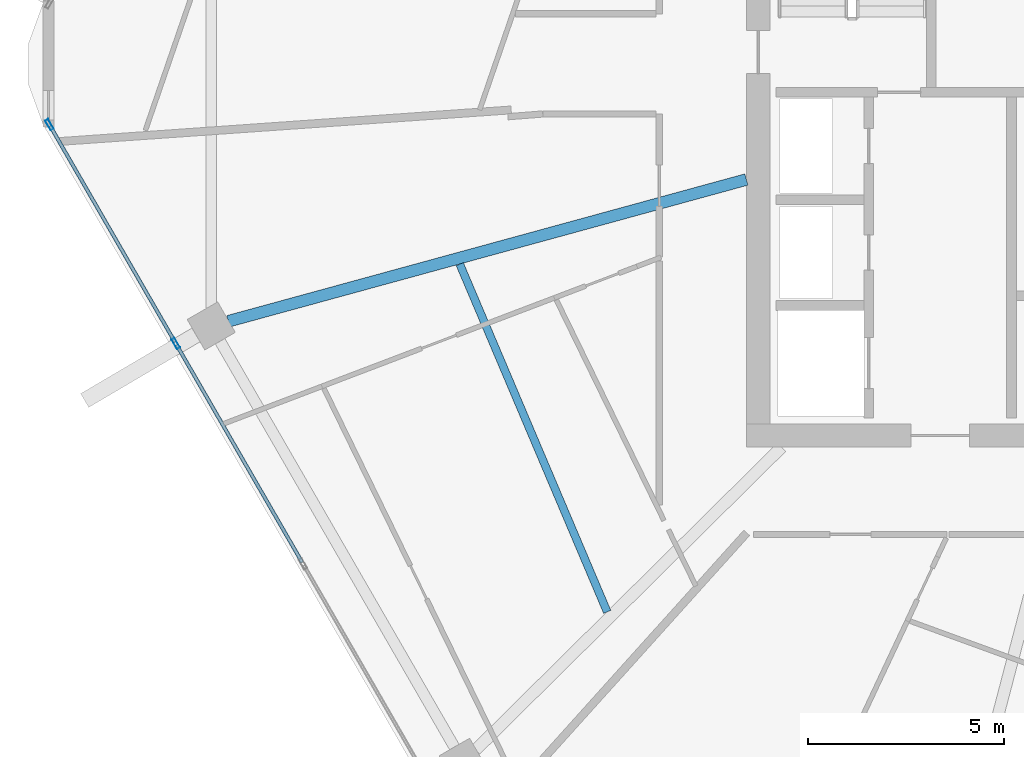
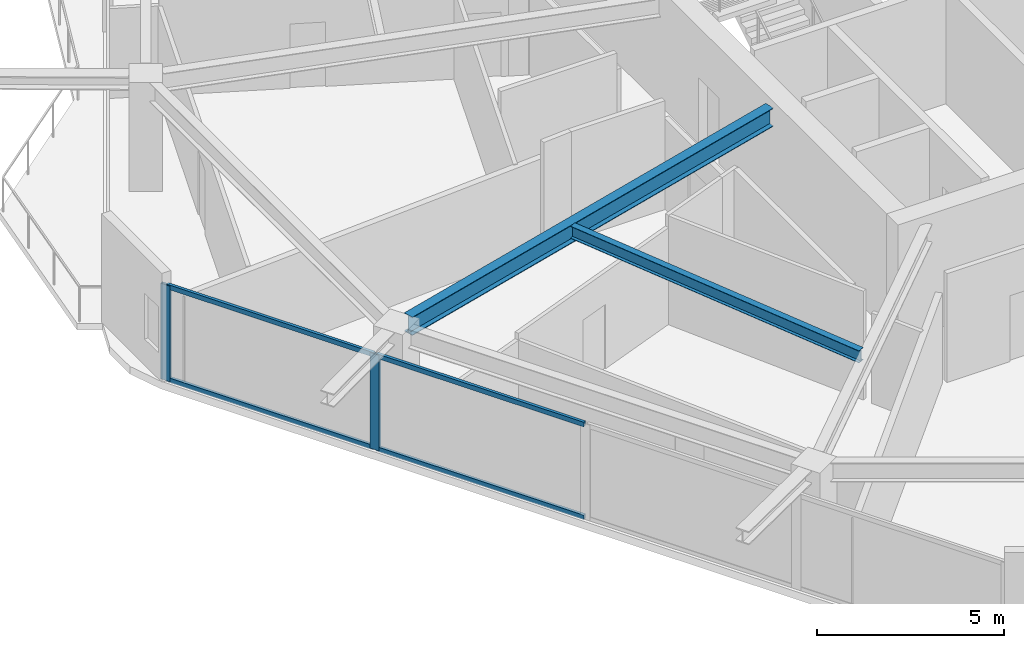
# One storey, part 5 of 25: 6 members, 2 beams, 1 element without a shape of its own.
"""IFC4 building model written with IfcOpenShell, lengths in metres."""

from ifc_helpers import new_model, si_unit, direction, frame, origin, origin_2d, place, context, subcontext, project, spatial, hollow_rectangle, i_section, extrude, material, material_profile, profile_set, type_object, element, aggregate, save


model = new_model("IFC4")

# Units and contexts
model_context = context("Model", 3, precision=1e-05, world=origin(), true_north=direction((0.0, 1.0)))
body_context = subcontext(model_context, "Body", "Model", "MODEL_VIEW")
ifc_project = project(units=[si_unit("LENGTHUNIT", "METRE"), si_unit("AREAUNIT", "SQUARE_METRE"), si_unit("VOLUMEUNIT", "CUBIC_METRE"), si_unit("PLANEANGLEUNIT", "RADIAN"), si_unit("MASSUNIT", "GRAM", prefix="KILO")], contexts=[model_context])

# Site, building, storey
site_placement = place(None, origin())
site = spatial("IfcSite", under=ifc_project, at=site_placement, CompositionType="ELEMENT")
building_placement = place(site_placement, origin())
building = spatial("IfcBuilding", under=site, at=building_placement, Name="Zuhravey Tower", CompositionType="ELEMENT")
storey_placement = place(building_placement, frame((0.0, 0.0, 235.0)))
storey = spatial("IfcBuildingStorey", under=building, at=storey_placement, Name="L59", CompositionType="ELEMENT", Elevation=235.0)

# Curtain wall, members
ifc_material_1 = material(Name="Thermally broken anodised aluminium", Category="aluminium")
curtain_wall_type = type_object("IfcCurtainWallType", Name="Zone 3-4 High-Rise Curtain Wall CW4", PredefinedType="NOTDEFINED", material=ifc_material_1)
curtain_wall_placement = place(storey_placement, origin())
curtain_wall = element("IfcCurtainWall", 1, at=curtain_wall_placement, inside=storey, type_object=curtain_wall_type, Name="L59 CW4 CW-L59-F4-1", PredefinedType="NOTDEFINED")
ifc_material_2 = material(Name="Anodised aluminium", Category="aluminium")
ifc_material_profile_1 = material_profile(ifc_material_2, hollow_rectangle(XDim=0.090087890625, YDim=0.284912109375, WallThickness=0.0048828125, at=origin_2d()), Name="ALU-RHS-90x285x5")
ifc_profile_set_1 = profile_set([ifc_material_profile_1], Name="Anodised aluminium")
member_type_1 = type_object("IfcMemberType", Name="Curtain-Wall Mullion 90x180", PredefinedType="MULLION", material=ifc_profile_set_1)
member_1_placement = place(storey_placement, frame((10.608154296875, 24.852783203125, 0.0), z_axis=(0.0, 0.0, 1.0), x_axis=(-0.866024851021, -0.500000957414, 0.0)))
member_1 = element("IfcMember", 2, at=member_1_placement, type_object=member_type_1, Name="CW4 mullion 4", PredefinedType="MULLION", context=body_context, shape_type="SweptSolid", body=[
    extrude(hollow_rectangle(XDim=0.090087890625, YDim=0.284912109375, WallThickness=0.0048828125, at=origin_2d()), origin(), (0.0, 0.0, 1.0), 3.1220703125),
])
member_2_placement = place(storey_placement, frame((7.37744140625, 30.448486328125, 0.0), z_axis=(0.0, 0.0, 1.0), x_axis=(-0.866024851021, -0.500000957414, 0.0)))
member_2 = element("IfcMember", 3, at=member_2_placement, type_object=member_type_1, Name="CW4 mullion 5", PredefinedType="MULLION", context=body_context, shape_type="SweptSolid", body=[
    extrude(hollow_rectangle(XDim=0.090087890625, YDim=0.284912109375, WallThickness=0.0048828125, at=origin_2d()), origin(), (0.0, 0.0, 1.0), 3.1220703125),
])
ifc_material_profile_2 = material_profile(ifc_material_2, hollow_rectangle(XDim=0.090087890625, YDim=0.14990234375, WallThickness=0.0048828125, at=origin_2d()), Name="ALU-RHS-90x150x5")
ifc_profile_set_2 = profile_set([ifc_material_profile_2], Name="Anodised aluminium")
member_type_2 = type_object("IfcMemberType", Name="Curtain-Wall Transom 90x150", PredefinedType="USERDEFINED", material=ifc_profile_set_2)
member_3_placement = place(storey_placement, frame((13.8388671875, 19.257080078125, 0.044921875), z_axis=(-0.499998017366, 0.866026548456, 0.0), x_axis=(-0.866026548456, -0.499998017366, 0.0)))
member_3 = element("IfcMember", 4, at=member_3_placement, type_object=member_type_2, Name="CW4 transom 3.1", ObjectType="TRANSOM", PredefinedType="USERDEFINED", context=body_context, shape_type="SweptSolid", body=[
    extrude(hollow_rectangle(XDim=0.090087890625, YDim=0.14990234375, WallThickness=0.0048828125, at=origin_2d()), origin(), (0.0, 0.0, 1.0), 6.41650390625),
])
member_4_placement = place(storey_placement, frame((13.8388671875, 19.257080078125, 3.076904296875), z_axis=(-0.499998017366, 0.866026548456, 0.0), x_axis=(-0.866026548456, -0.499998017366, 0.0)))
member_4 = element("IfcMember", 5, at=member_4_placement, type_object=member_type_2, Name="CW4 transom 3.2", ObjectType="TRANSOM", PredefinedType="USERDEFINED", context=body_context, shape_type="SweptSolid", body=[
    extrude(hollow_rectangle(XDim=0.090087890625, YDim=0.14990234375, WallThickness=0.0048828125, at=origin_2d()), origin(), (0.0, 0.0, 1.0), 6.41650390625),
])
member_5_placement = place(storey_placement, frame((10.585693359375, 24.891845703125, 0.044921875), z_axis=(-0.500008810174, 0.866020317169, 0.0), x_axis=(-0.866020317169, -0.500008810174, 0.0)))
member_5 = element("IfcMember", 6, at=member_5_placement, type_object=member_type_2, Name="CW4 transom 4.1", ObjectType="TRANSOM", PredefinedType="USERDEFINED", context=body_context, shape_type="SweptSolid", body=[
    extrude(hollow_rectangle(XDim=0.090087890625, YDim=0.14990234375, WallThickness=0.0048828125, at=origin_2d()), origin(), (0.0, 0.0, 1.0), 6.37158203125),
])
member_6_placement = place(storey_placement, frame((10.585693359375, 24.891845703125, 3.076904296875), z_axis=(-0.500008810174, 0.866020317169, 0.0), x_axis=(-0.866020317169, -0.500008810174, 0.0)))
member_6 = element("IfcMember", 7, at=member_6_placement, type_object=member_type_2, Name="CW4 transom 4.2", ObjectType="TRANSOM", PredefinedType="USERDEFINED", context=body_context, shape_type="SweptSolid", body=[
    extrude(hollow_rectangle(XDim=0.090087890625, YDim=0.14990234375, WallThickness=0.0048828125, at=origin_2d()), origin(), (0.0, 0.0, 1.0), 6.37158203125),
])
aggregate(curtain_wall, [member_1, member_2, member_3, member_4, member_5, member_6])

# Beams
ifc_material_3 = material(Name="Steel SM355", Category="steel")
ifc_material_profile_3 = material_profile(ifc_material_3, i_section(OverallWidth=0.300048828125, OverallDepth=0.60009765625, WebThickness=0.011962890625, FlangeThickness=0.02001953125, at=origin_2d()), Name="H-600x300x12x20")
ifc_profile_set_3 = profile_set([ifc_material_profile_3], Name="Steel SM355")
beam_type_1 = type_object("IfcBeamType", Name="Radial Primary Girder H600x300", PredefinedType="BEAM", material=ifc_profile_set_3)
beam_1_placement = place(storey_placement, frame((25.197021484375, 29.04443359375, 3.25), z_axis=(-0.964548913045, -0.26390413855, 0.0), x_axis=(0.26390413855, -0.964548913045, 0.0)))
element("IfcBeam", 8, at=beam_1_placement, inside=storey, type_object=beam_type_1, Name="L59 RG3 BM-L59-RAD-07", PredefinedType="BEAM", context=body_context, shape_type="SweptSolid", body=[
    extrude(i_section(OverallWidth=0.300048828125, OverallDepth=0.60009765625, WebThickness=0.011962890625, FlangeThickness=0.02001953125, at=origin_2d()), origin(), (0.0, 0.0, 1.0), 13.7314453125),
])
ifc_material_profile_4 = material_profile(ifc_material_3, i_section(OverallWidth=0.199951171875, OverallDepth=0.39990234375, WebThickness=0.008056640625, FlangeThickness=0.012939453125, at=origin_2d()), Name="H-400x200x8x13")
ifc_profile_set_4 = profile_set([ifc_material_profile_4], Name="Steel SM355")
beam_type_2 = type_object("IfcBeamType", Name="Secondary Floor Joist H400x200", PredefinedType="JOIST", material=ifc_profile_set_4)
beam_2_placement = place(storey_placement, frame((17.869140625, 26.881103515625, 3.35009765625), z_axis=(0.390413493754, -0.920639616731, 0.0), x_axis=(0.920639616731, 0.390413493754, 0.0)))
element("IfcBeam", 9, at=beam_2_placement, inside=storey, type_object=beam_type_2, Name="L59 SJ2 BM-L59-SJ-07-1", PredefinedType="JOIST", context=body_context, shape_type="SweptSolid", body=[
    extrude(i_section(OverallWidth=0.199951171875, OverallDepth=0.39990234375, WebThickness=0.008056640625, FlangeThickness=0.012939453125, at=origin_2d()), origin(), (0.0, 0.0, 1.0), 9.656494140625),
])

save(model, "model.ifc")
